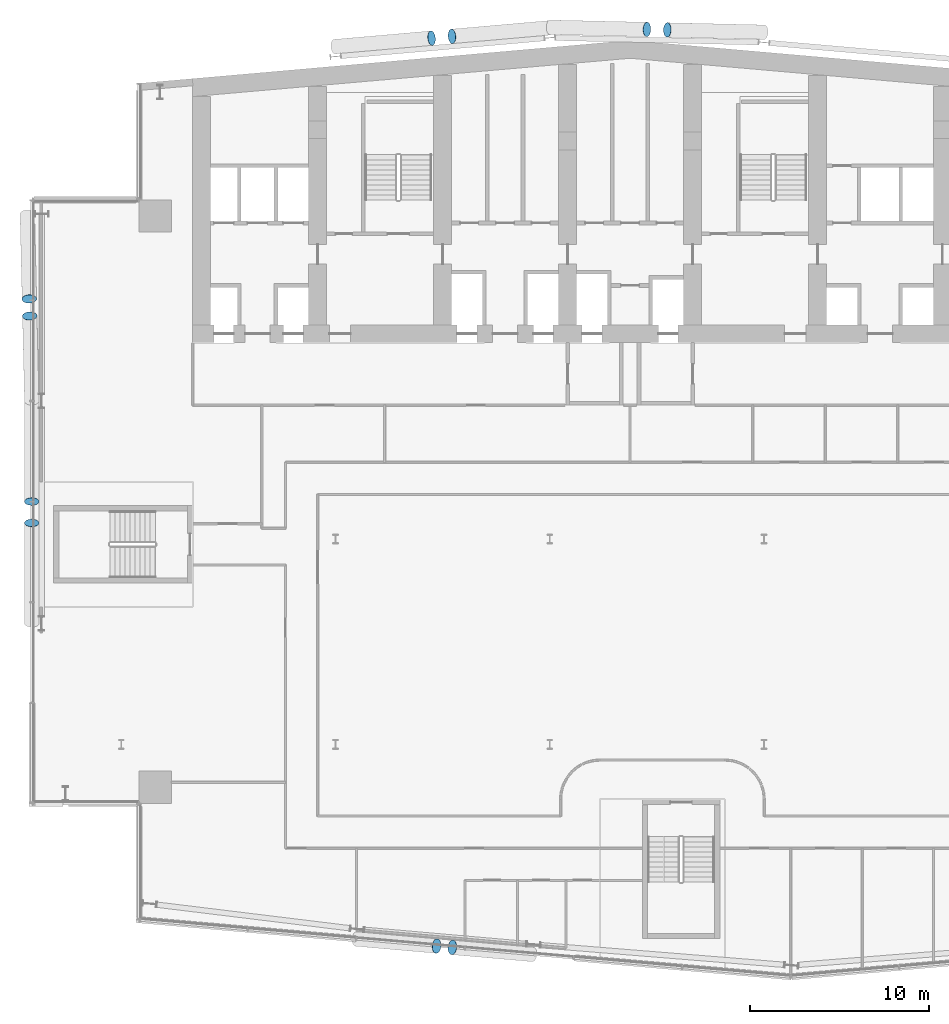
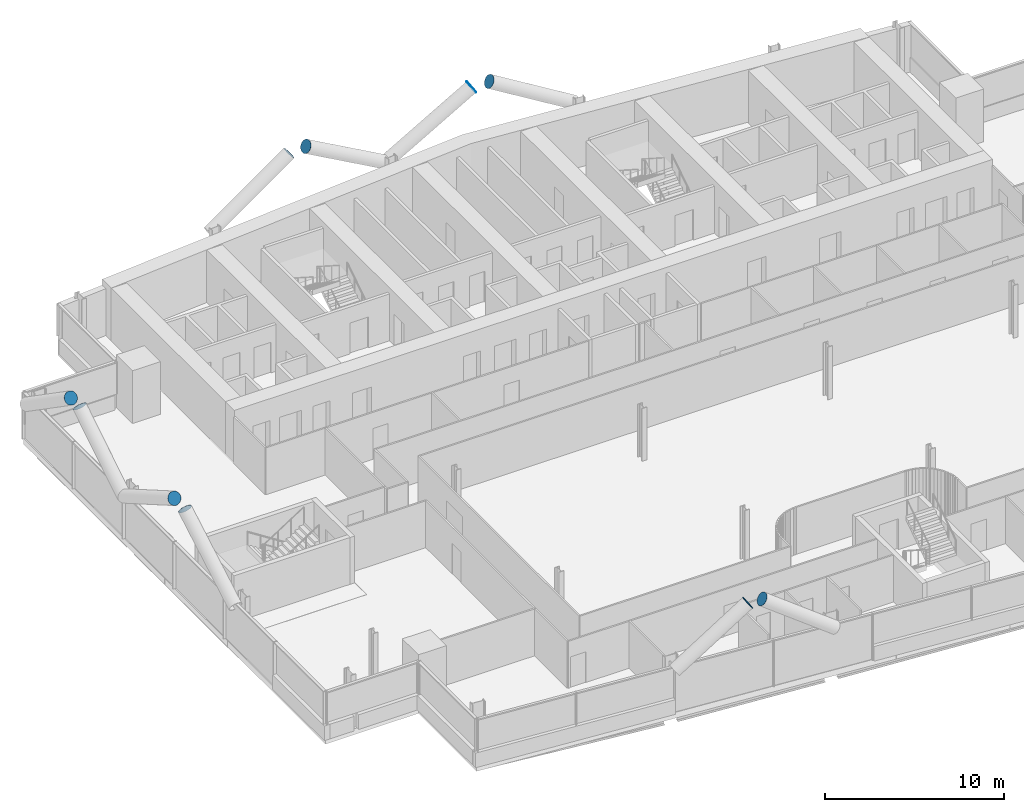
# One storey, part 25 of 30: 10 discrete accessories.
"""IFC4 building model written with IfcOpenShell, lengths in metres."""

from ifc_helpers import new_model, si_unit, direction, frame, origin, origin_2d, place, context, subcontext, project, spatial, circle, extrude, material, material_profile, profile_set, type_object, element, save


model = new_model("IFC4")

# Units and contexts
model_context = context("Model", 3, precision=1e-05, world=origin(), true_north=direction((0.0, 1.0)))
body_context = subcontext(model_context, "Body", "Model", "MODEL_VIEW")
ifc_project = project(units=[si_unit("LENGTHUNIT", "METRE"), si_unit("AREAUNIT", "SQUARE_METRE"), si_unit("VOLUMEUNIT", "CUBIC_METRE"), si_unit("PLANEANGLEUNIT", "RADIAN"), si_unit("MASSUNIT", "GRAM", prefix="KILO")], contexts=[model_context])

# Site, building, storey
site_placement = place(None, origin())
site = spatial("IfcSite", under=ifc_project, at=site_placement, CompositionType="ELEMENT")
building_placement = place(site_placement, origin())
building = spatial("IfcBuilding", under=site, at=building_placement, Name="Wharfspan Tower", CompositionType="ELEMENT")
storey_placement = place(building_placement, frame((0.0, 0.0, 107.5)))
storey = spatial("IfcBuildingStorey", under=building, at=storey_placement, Name="L24", CompositionType="ELEMENT", Elevation=107.5)

# Discrete accessories
ifc_material = material(Name="Steel S460NH", Category="steel")
ifc_material_profile = material_profile(ifc_material, circle(Radius=0.406494, at=origin_2d()))
ifc_profile_set = profile_set([ifc_material_profile], Name="Steel S460NH")
discrete_accessory_type = type_object("IfcDiscreteAccessoryType", Name="End plate CHS 813x40", PredefinedType="BRACKET", material=ifc_profile_set)
for number, where, z_axis, x_axis, name in (
    (1, (29.654785, 0.202881, 6.173096), (0.806559, -0.073324, 0.586588), (0.090536, 0.99589, 0.0), "End plate CHS 813x40"),
    (2, (30.551514, 0.124512, 6.173096), (-0.806559, 0.073324, 0.586588), (-0.090536, -0.99589, 0.0), "End plate CHS 813x40"),
    (3, (6.985107, 25.105957, 6.149902), (0.0, -0.857493, 0.514496), (1.0, 0.0, 0.0), "End plate CHS 813x40"),
    (4, (6.985107, 23.894043, 6.149902), (0.0, 0.857493, 0.514496), (-1.0, 0.0, 0.0), "End plate CHS 813x40"),
):
    element("IfcDiscreteAccessory", number, at=place(storey_placement, frame(where, z_axis=z_axis, x_axis=x_axis)), inside=storey, type_object=discrete_accessory_type, Name=name, PredefinedType="BRACKET", context=body_context, shape_type="SweptSolid", body=[
        extrude(circle(Radius=0.406494, at=origin_2d()), origin(), (0.0, 0.0, 1.0), 0.01001),
    ])
discrete_accessory_placement = place(storey_placement, frame((6.8479, 36.455078, 6.166992), z_axis=(0.024853, -0.820145, 0.571616), x_axis=(0.999542, 0.03029, 1e-06)))
element("IfcDiscreteAccessory", 5, at=discrete_accessory_placement, inside=storey, type_object=discrete_accessory_type, Name="End plate CHS 813x40", PredefinedType="BRACKET", context=body_context, shape_type="SweptSolid", body=[
    extrude(circle(Radius=0.406494, at=origin_2d()), origin(), (0.0, 0.0, 1.0), 0.009766),
])
for number, where, z_axis, x_axis, name in (
    (6, (6.871094, 35.486084, 6.166992), (-0.024354, 0.828038, 0.560143), (-0.999568, -0.029399, 0.0), "End plate CHS 813x40"),
    (7, (41.435059, 51.541504, 6.15332), (0.857236, -0.024492, 0.514341), (0.028558, 0.999591, 2e-06), "End plate CHS 813x40"),
    (8, (42.590332, 51.514893, 6.15332), (-0.857236, 0.024492, 0.514341), (-0.028558, -0.999591, 2e-06), "End plate CHS 813x40"),
    (9, (29.373291, 51.05542, 6.153076), (0.853405, 0.097532, 0.512043), (-0.113547, 0.993531, 1e-06), "End plate CHS 813x40"),
    (10, (30.529785, 51.156738, 6.153076), (-0.855186, -0.073302, 0.513112), (0.085402, -0.996345, 1e-06), "End plate CHS 813x40"),
):
    element("IfcDiscreteAccessory", number, at=place(storey_placement, frame(where, z_axis=z_axis, x_axis=x_axis)), inside=storey, type_object=discrete_accessory_type, Name=name, PredefinedType="BRACKET", context=body_context, shape_type="SweptSolid", body=[
        extrude(circle(Radius=0.406494, at=origin_2d()), origin(), (0.0, 0.0, 1.0), 0.01001),
    ])

save(model, "model.ifc")
